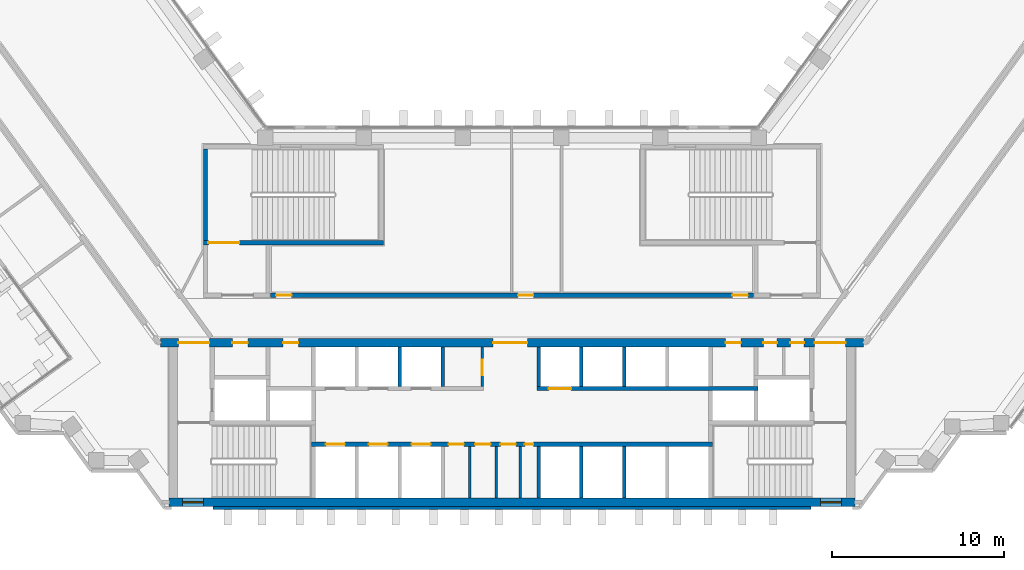
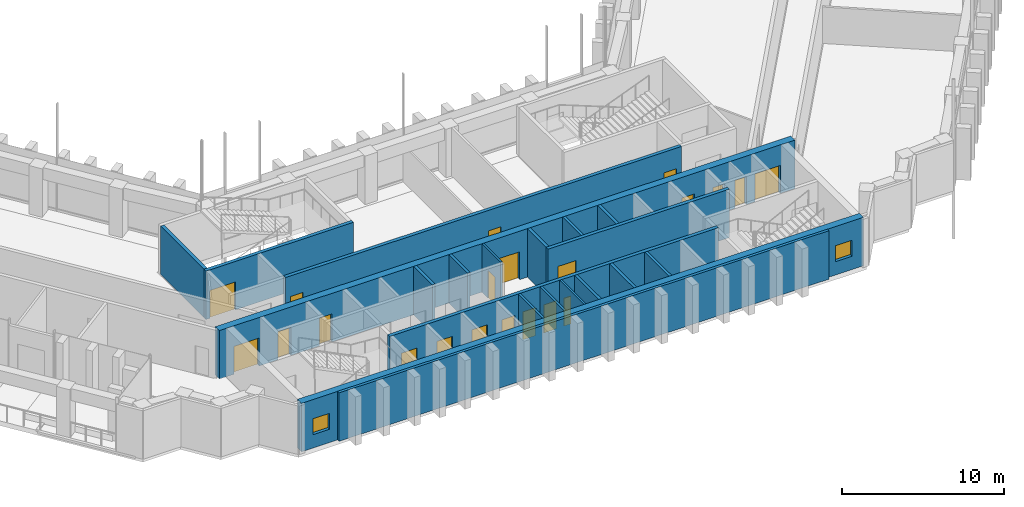
# One storey, part 11 of 18: 21 doors, 20 walls, 2 windows, 23 openings.
"""IFC4 building model written with IfcOpenShell, lengths in metres."""

import ifcopenshell
import ifcopenshell.guid

model = None  # the IFC model being written
_history = None  # IfcOwnerHistory: only IFC2X3 demands one
_inside = {}  # id of a spatial element -> (the spatial element, [elements in it])
_under = {}  # id of a project, library or spatial element -> (it, [spatial elements below it])
_declared = {}  # id of a project -> (the project, [libraries it declares])
_typed = {}  # id of a type object -> (the type object, [elements of that type])
_made_of = {}  # id of a material, layer set ... -> (it, [elements and type objects made of it])


def new_model(schema):
    """Start an empty IFC model of exactly this schema.

    Asked for "IFC4X3", IfcOpenShell would pick the latest addendum, in which some entities
    have other attributes; the version numbers below select the first issue.
    IFC2X3 requires an IfcOwnerHistory on every rooted entity: one is made here for all.
    """
    global model, _history
    if schema == "IFC4X3":
        model = ifcopenshell.file(schema_version=(4, 3, 0, 0))
    else:
        model = ifcopenshell.file(schema=schema)
    _inside.clear()
    _under.clear()
    _declared.clear()
    _typed.clear()
    _made_of.clear()
    _history = None
    if model.schema == "IFC2X3":
        org = make("IfcOrganization", Name="unknown")
        user = make(
            "IfcPersonAndOrganization",
            ThePerson=make("IfcPerson", FamilyName="unknown"),
            TheOrganization=org,
        )
        app = make(
            "IfcApplication",
            ApplicationDeveloper=org,
            Version="unknown",
            ApplicationFullName="unknown",
            ApplicationIdentifier="unknown",
        )
        _history = make(
            "IfcOwnerHistory",
            OwningUser=user,
            OwningApplication=app,
            ChangeAction="ADDED",
            CreationDate=0,
        )
    return model


def make(cls, **values):
    """One entity of the class cls with the attributes given. An attribute that is None is left unset."""
    return model.create_entity(
        cls, **{name: value for name, value in values.items() if value is not None}
    )


def rooted(cls, **values):
    """An entity with a GlobalId (a new one), such as an element, a storey or a relation."""
    return make(cls, GlobalId=ifcopenshell.guid.new(), OwnerHistory=_history, **values)


def si_unit(unit_type, name, prefix=None):
    """IfcSIUnit, for example si_unit("LENGTHUNIT", "METRE", prefix="MILLI")."""
    return make("IfcSIUnit", UnitType=unit_type, Prefix=prefix, Name=name)


def assignment(units):
    """IfcUnitAssignment: the units of a project."""
    return None if units is None else make("IfcUnitAssignment", Units=units)


def point(xyz):
    """IfcCartesianPoint."""
    return None if xyz is None else make("IfcCartesianPoint", Coordinates=xyz)


def direction(xyz):
    """IfcDirection."""
    return None if xyz is None else make("IfcDirection", DirectionRatios=xyz)


def frame(location, z_axis=None, x_axis=None):
    """IfcAxis2Placement3D, a coordinate frame: its origin and axes. An axis left out is left unset."""
    return make(
        "IfcAxis2Placement3D",
        Location=point(location),
        Axis=direction(z_axis),
        RefDirection=direction(x_axis),
    )


def frame_2d(location, x_axis=None):
    """IfcAxis2Placement2D, a coordinate frame in the plane: its origin and x axis."""
    return make(
        "IfcAxis2Placement2D", Location=point(location), RefDirection=direction(x_axis)
    )


def origin():
    """The frame at (0, 0, 0) with its axes left unset."""
    return frame((0.0, 0.0, 0.0))


def place(relative_to, where):
    """IfcLocalPlacement: puts the frame where relative to a parent placement (None: the world)."""
    return make(
        "IfcLocalPlacement", PlacementRelTo=relative_to, RelativePlacement=where
    )


def context(
    kind, dimensions, precision=None, world=None, true_north=None, identifier=None
):
    """IfcGeometricRepresentationContext, for example the 3D "Model" context."""
    return make(
        "IfcGeometricRepresentationContext",
        ContextIdentifier=identifier,
        ContextType=kind,
        CoordinateSpaceDimension=dimensions,
        Precision=precision,
        WorldCoordinateSystem=world,
        TrueNorth=true_north,
    )


def subcontext(parent, identifier, kind, view, scale=None):
    """IfcGeometricRepresentationSubContext, for example "Body" below "Model"."""
    return make(
        "IfcGeometricRepresentationSubContext",
        ContextIdentifier=identifier,
        ContextType=kind,
        ParentContext=parent,
        TargetScale=scale,
        TargetView=view,
    )


def project(units=None, contexts=None):
    """IfcProject with its units and contexts."""
    return rooted(
        "IfcProject",
        Name="project",
        RepresentationContexts=contexts,
        UnitsInContext=assignment(units),
    )


def spatial(cls, under=None, at=None, **own):
    """A site, building, storey or space (cls), placed at a placement, below another one or the project."""
    s = rooted(cls, ObjectPlacement=at, **own)
    if under is not None:
        _under.setdefault(under.id(), (under, []))[1].append(s)
    return s


def profile(cls, at=None, kind="AREA", **sizes):
    """A parametric profile (cls). Its sizes go by their IFC names, for example OverallWidth=200.0."""
    return make(cls, ProfileType=kind, Position=at, **sizes)


def rectangle(**sizes):
    """IfcRectangleProfileDef."""
    return profile("IfcRectangleProfileDef", **sizes)


def extrude(swept, where, along, depth):
    """IfcExtrudedAreaSolid: the profile swept, set in the frame where, extruded along a direction by depth."""
    return make(
        "IfcExtrudedAreaSolid",
        SweptArea=swept,
        Position=where,
        ExtrudedDirection=direction(along),
        Depth=depth,
    )


def shape(context_of_items, identifier, shape_type, items):
    """IfcShapeRepresentation: the items that make up one representation, for example the "Body"."""
    return make(
        "IfcShapeRepresentation",
        ContextOfItems=context_of_items,
        RepresentationIdentifier=identifier,
        RepresentationType=shape_type,
        Items=items,
    )


def material(Name=None, Category=None):
    """IfcMaterial."""
    return make("IfcMaterial", Name=Name, Category=Category)


def layer(
    of_material, thickness, ventilated=None, Name=None, Category=None, Priority=None
):
    """IfcMaterialLayer: one layer of a wall or slab, of a material (None: an air gap)."""
    return make(
        "IfcMaterialLayer",
        Material=of_material,
        LayerThickness=thickness,
        IsVentilated=ventilated,
        Name=Name,
        Category=Category,
        Priority=Priority,
    )


def layer_set(layers, Name=None):
    """IfcMaterialLayerSet."""
    return make("IfcMaterialLayerSet", MaterialLayers=layers, LayerSetName=Name)


def made_of(thing, what):
    """Note that an element or type object is made of a material, layer set ...; save() writes the relation."""
    if what is not None:
        _made_of.setdefault(what.id(), (what, []))[1].append(thing)
    return thing


def type_object(cls, material=None, **own):
    """A type object (cls), such as IfcWallType, which elements share."""
    return made_of(rooted(cls, **own), material)


def element(
    cls,
    number,
    at=None,
    inside=None,
    cuts=None,
    type_object=None,
    material=None,
    context=None,
    identifier="Body",
    shape_type=None,
    held_by="IfcProductDefinitionShape",
    body=None,
    shapes=None,
    **own,
):
    """One element of the class cls, such as IfcWall. Its Tag is "e" and its number.

    at: its placement. inside: the storey or other place that contains it. cuts: it is an
    opening in that element (IfcRelVoidsElement). A single representation is given by context,
    identifier, shape_type and body (its items); several are given by shapes. held_by: the class
    of the entity that holds the representations. save() writes the other relations.
    """
    e = rooted(cls, Tag="e%d" % number, ObjectPlacement=at, **own)
    if body is not None:
        shapes = [shape(context, identifier, shape_type, body)]
    if shapes is not None:
        e.Representation = make(held_by, Representations=shapes)
    if inside is not None:
        _inside.setdefault(inside.id(), (inside, []))[1].append(e)
    if cuts is not None:
        rooted(
            "IfcRelVoidsElement", RelatingBuildingElement=cuts, RelatedOpeningElement=e
        )
    if type_object is not None:
        _typed.setdefault(type_object.id(), (type_object, []))[1].append(e)
    return made_of(e, material)


def fill(opening, filler):
    """IfcRelFillsElement: the door or window that sits in an opening."""
    return rooted(
        "IfcRelFillsElement",
        RelatingOpeningElement=opening,
        RelatedBuildingElement=filler,
    )


def aggregate(whole, parts):
    """IfcRelAggregates: a whole, such as a stair, and the parts it consists of."""
    return rooted("IfcRelAggregates", RelatingObject=whole, RelatedObjects=parts)


def save(model, path):
    """Write the relations noted so far, then the file.

    IfcRelAggregates (storeys below a building ...), IfcRelContainedInSpatialStructure (elements
    in a storey), IfcRelDefinesByType, IfcRelAssociatesMaterial and IfcRelDeclares: one each for
    every whole, place, type object, material and project.
    """
    for whole, parts in _under.values():
        aggregate(whole, parts)
    for where, things in _inside.values():
        rooted(
            "IfcRelContainedInSpatialStructure",
            RelatedElements=things,
            RelatingStructure=where,
        )
    for kind, things in _typed.values():
        rooted("IfcRelDefinesByType", RelatedObjects=things, RelatingType=kind)
    for what, things in _made_of.values():
        rooted("IfcRelAssociatesMaterial", RelatedObjects=things, RelatingMaterial=what)
    for by, libraries in _declared.values():
        rooted("IfcRelDeclares", RelatingContext=by, RelatedDefinitions=libraries)
    model.write(path)


model = new_model("IFC4")

# Units and contexts
model_context = context("Model", 3, precision=1e-05, world=origin(), true_north=direction((0.0, 1.0)))
body_context = subcontext(model_context, "Body", "Model", "MODEL_VIEW")
ifc_project = project(units=[si_unit("LENGTHUNIT", "METRE"), si_unit("AREAUNIT", "SQUARE_METRE"), si_unit("VOLUMEUNIT", "CUBIC_METRE"), si_unit("PLANEANGLEUNIT", "RADIAN"), si_unit("MASSUNIT", "GRAM", prefix="KILO")], contexts=[model_context])

# Site, building, storey
site_placement = place(None, origin())
site = spatial("IfcSite", under=ifc_project, at=site_placement, CompositionType="ELEMENT")
building_placement = place(site_placement, origin())
building = spatial("IfcBuilding", under=site, at=building_placement, Name="Quipu Civic Tower", CompositionType="ELEMENT")
storey_placement = place(building_placement, frame((0.0, 0.0, 59.0)))
storey = spatial("IfcBuildingStorey", under=building, at=storey_placement, Name="L13", CompositionType="ELEMENT", Elevation=59.0)

# Wall, openings, doors
ifc_material_1 = material(Name="Concrete C70/85", Category="concrete")
ifc_layer_1 = layer(ifc_material_1, 0.25)
ifc_layer_set_1 = layer_set([ifc_layer_1], Name="Concrete C70/85")
wall_type_1 = type_object("IfcWallType", Name="Core wall 250", PredefinedType="SHEAR", material=ifc_layer_set_1)
wall_1_placement = place(storey_placement, frame((11.699951171875, -7.375, 0.0), z_axis=(0.0, 0.0, 1.0), x_axis=(-1.0, 0.0, 0.0)))
wall_1 = element("IfcWall", 1, at=wall_1_placement, inside=storey, type_object=wall_type_1, Name="Core wall", PredefinedType="SHEAR", context=body_context, shape_type="SweptSolid", body=[
    extrude(rectangle(XDim=23.39990234375, YDim=0.25, at=frame_2d((11.699951171875, 0.0))), origin(), (0.0, 0.0, 1.0), 3.64990234375),
])
opening_1_placement = place(wall_1_placement, frame((21.449951171875, 0.0, 0.0)))
opening_1 = element("IfcOpeningElement", 2, at=opening_1_placement, cuts=wall_1, Name="Opening LD-LL1", PredefinedType="OPENING", context=body_context, shape_type="SweptSolid", body=[
    extrude(rectangle(XDim=1.10009765625, YDim=2.10009765625, at=frame_2d((0.550048828125, 1.050048828125))), frame((0.0, 0.135009765625, 0.0), z_axis=(0.0, -1.0, 0.0), x_axis=(1.0, 0.0, 0.0)), (0.0, 0.0, 1.0), 0.27001953125),
])
opening_2_placement = place(wall_1_placement, frame((18.949951171875, 0.0, 0.0)))
opening_2 = element("IfcOpeningElement", 3, at=opening_2_placement, cuts=wall_1, Name="Opening LD-LL2", PredefinedType="OPENING", context=body_context, shape_type="SweptSolid", body=[
    extrude(rectangle(XDim=1.10009765625, YDim=2.10009765625, at=frame_2d((0.550048828125, 1.050048828125))), frame((0.0, 0.135009765625, 0.0), z_axis=(0.0, -1.0, 0.0), x_axis=(1.0, 0.0, 0.0)), (0.0, 0.0, 1.0), 0.27001953125),
])
opening_3_placement = place(wall_1_placement, frame((16.449951171875, 0.0, 0.0)))
opening_3 = element("IfcOpeningElement", 4, at=opening_3_placement, cuts=wall_1, Name="Opening LD-LL3", PredefinedType="OPENING", context=body_context, shape_type="SweptSolid", body=[
    extrude(rectangle(XDim=1.10009765625, YDim=2.10009765625, at=frame_2d((0.550048828125, 1.050048828125))), frame((0.0, 0.135009765625, 0.0), z_axis=(0.0, -1.0, 0.0), x_axis=(1.0, 0.0, 0.0)), (0.0, 0.0, 1.0), 0.27001953125),
])
opening_4_placement = place(wall_1_placement, frame((14.5, 0.0, 0.0)))
opening_4 = element("IfcOpeningElement", 5, at=opening_4_placement, cuts=wall_1, Name="Opening CD-01", PredefinedType="OPENING", context=body_context, shape_type="SweptSolid", body=[
    extrude(rectangle(XDim=0.89990234375, YDim=2.10009765625, at=frame_2d((0.449951171875, 1.050048828125))), frame((0.0, 0.135009765625, 0.0), z_axis=(0.0, -1.0, 0.0), x_axis=(1.0, 0.0, 0.0)), (0.0, 0.0, 1.0), 0.27001953125),
])
opening_5_placement = place(wall_1_placement, frame((12.949951171875, 0.0, 0.0)))
opening_5 = element("IfcOpeningElement", 6, at=opening_5_placement, cuts=wall_1, Name="Opening CD-02", PredefinedType="OPENING", context=body_context, shape_type="SweptSolid", body=[
    extrude(rectangle(XDim=0.89990234375, YDim=2.10009765625, at=frame_2d((0.449951171875, 1.050048828125))), frame((0.0, 0.135009765625, 0.0), z_axis=(0.0, -1.0, 0.0), x_axis=(1.0, 0.0, 0.0)), (0.0, 0.0, 1.0), 0.27001953125),
])
opening_6_placement = place(wall_1_placement, frame((11.47509765625, 0.0, 0.0)))
opening_6 = element("IfcOpeningElement", 7, at=opening_6_placement, cuts=wall_1, Name="Opening CD-03", PredefinedType="OPENING", context=body_context, shape_type="SweptSolid", body=[
    extrude(rectangle(XDim=0.89990234375, YDim=2.10009765625, at=frame_2d((0.449951171875, 1.050048828125))), frame((0.0, 0.135009765625, 0.0), z_axis=(0.0, -1.0, 0.0), x_axis=(1.0, 0.0, 0.0)), (0.0, 0.0, 1.0), 0.27001953125),
])
opening_7_placement = place(wall_1_placement, frame((10.449951171875, 0.0, 0.0)))
opening_7 = element("IfcOpeningElement", 8, at=opening_7_placement, cuts=wall_1, Name="Opening CD-04", PredefinedType="OPENING", context=body_context, shape_type="SweptSolid", body=[
    extrude(rectangle(XDim=0.5, YDim=2.10009765625, at=frame_2d((0.25, 1.050048828125))), frame((0.0, 0.135009765625, 0.0), z_axis=(0.0, -1.0, 0.0), x_axis=(1.0, 0.0, 0.0)), (0.0, 0.0, 1.0), 0.27001953125),
])
ifc_material_2 = material(Name="Fire rated steel door", Category="steel")
door_type_1 = type_object("IfcDoorType", Name="Fire door FD60 500 x 2100", OperationType="NOTDEFINED", PredefinedType="DOOR", material=ifc_material_2)
door_1_placement = place(opening_7_placement, origin())
door_1 = element("IfcDoor", 9, at=door_1_placement, inside=storey, type_object=door_type_1, Name="Door", OperationType="SINGLE_SWING_LEFT", OverallHeight=2.10009765625, OverallWidth=0.5, PredefinedType="DOOR", context=body_context, shape_type="SweptSolid", body=[
    extrude(rectangle(XDim=0.5, YDim=2.10009765625, at=frame_2d((0.25, 1.050048828125))), frame((0.0, 0.02490234375, 0.0), z_axis=(0.0, -1.0, 0.0), x_axis=(1.0, 0.0, 0.0)), (0.0, 0.0, 1.0), 0.050048828125),
])
fill(opening_7, door_1)
ifc_material_3 = material(Name="Fire rated steel door", Category="steel")
door_type_2 = type_object("IfcDoorType", Name="Fire door FD60 900 x 2100", OperationType="NOTDEFINED", PredefinedType="DOOR", material=ifc_material_3)
door_2_placement = place(opening_4_placement, origin())
door_2 = element("IfcDoor", 10, at=door_2_placement, inside=storey, type_object=door_type_2, Name="WC door", OperationType="SINGLE_SWING_RIGHT", OverallHeight=2.10009765625, OverallWidth=0.89990234375, PredefinedType="DOOR", context=body_context, shape_type="SweptSolid", body=[
    extrude(rectangle(XDim=0.89990234375, YDim=2.10009765625, at=frame_2d((0.449951171875, 1.050048828125))), frame((0.0, 0.02490234375, 0.0), z_axis=(0.0, -1.0, 0.0), x_axis=(1.0, 0.0, 0.0)), (0.0, 0.0, 1.0), 0.050048828125),
])
fill(opening_4, door_2)
door_3_placement = place(opening_5_placement, origin())
door_3 = element("IfcDoor", 11, at=door_3_placement, inside=storey, type_object=door_type_2, Name="WC door", OperationType="SINGLE_SWING_RIGHT", OverallHeight=2.10009765625, OverallWidth=0.89990234375, PredefinedType="DOOR", context=body_context, shape_type="SweptSolid", body=[
    extrude(rectangle(XDim=0.89990234375, YDim=2.10009765625, at=frame_2d((0.449951171875, 1.050048828125))), frame((0.0, 0.02490234375, 0.0), z_axis=(0.0, -1.0, 0.0), x_axis=(1.0, 0.0, 0.0)), (0.0, 0.0, 1.0), 0.050048828125),
])
fill(opening_5, door_3)
door_4_placement = place(opening_6_placement, origin())
door_4 = element("IfcDoor", 12, at=door_4_placement, inside=storey, type_object=door_type_2, Name="WC door", OperationType="SINGLE_SWING_RIGHT", OverallHeight=2.10009765625, OverallWidth=0.89990234375, PredefinedType="DOOR", context=body_context, shape_type="SweptSolid", body=[
    extrude(rectangle(XDim=0.89990234375, YDim=2.10009765625, at=frame_2d((0.449951171875, 1.050048828125))), frame((0.0, 0.02490234375, 0.0), z_axis=(0.0, -1.0, 0.0), x_axis=(1.0, 0.0, 0.0)), (0.0, 0.0, 1.0), 0.050048828125),
])
fill(opening_6, door_4)
ifc_material_4 = material(Name="Stainless steel", Category="steel")
door_type_3 = type_object("IfcDoorType", Name="Lift landing door 1100 x 2100", OperationType="DOUBLE_DOOR_SLIDING", PredefinedType="DOOR", material=ifc_material_4)
door_5_placement = place(opening_1_placement, origin())
door_5 = element("IfcDoor", 13, at=door_5_placement, inside=storey, type_object=door_type_3, Name="Landing door LL1", OperationType="DOUBLE_DOOR_SLIDING", OverallHeight=2.10009765625, OverallWidth=1.10009765625, PredefinedType="DOOR", context=body_context, shape_type="SweptSolid", body=[
    extrude(rectangle(XDim=1.10009765625, YDim=2.10009765625, at=frame_2d((0.550048828125, 1.050048828125))), frame((0.0, 0.02490234375, 0.0), z_axis=(0.0, -1.0, 0.0), x_axis=(1.0, 0.0, 0.0)), (0.0, 0.0, 1.0), 0.050048828125),
])
fill(opening_1, door_5)
door_6_placement = place(opening_2_placement, origin())
door_6 = element("IfcDoor", 14, at=door_6_placement, inside=storey, type_object=door_type_3, Name="Landing door LL2", OperationType="DOUBLE_DOOR_SLIDING", OverallHeight=2.10009765625, OverallWidth=1.10009765625, PredefinedType="DOOR", context=body_context, shape_type="SweptSolid", body=[
    extrude(rectangle(XDim=1.10009765625, YDim=2.10009765625, at=frame_2d((0.550048828125, 1.050048828125))), frame((0.0, 0.02490234375, 0.0), z_axis=(0.0, -1.0, 0.0), x_axis=(1.0, 0.0, 0.0)), (0.0, 0.0, 1.0), 0.050048828125),
])
fill(opening_2, door_6)
door_7_placement = place(opening_3_placement, origin())
door_7 = element("IfcDoor", 15, at=door_7_placement, inside=storey, type_object=door_type_3, Name="Landing door LL3", OperationType="DOUBLE_DOOR_SLIDING", OverallHeight=2.10009765625, OverallWidth=1.10009765625, PredefinedType="DOOR", context=body_context, shape_type="SweptSolid", body=[
    extrude(rectangle(XDim=1.10009765625, YDim=2.10009765625, at=frame_2d((0.550048828125, 1.050048828125))), frame((0.0, 0.02490234375, 0.0), z_axis=(0.0, -1.0, 0.0), x_axis=(1.0, 0.0, 0.0)), (0.0, 0.0, 1.0), 0.050048828125),
])
fill(opening_3, door_7)

# Wall, opening, door
wall_2_placement = place(storey_placement, frame((1.449951171875, -4.125, 0.0), z_axis=(0.0, 0.0, 1.0), x_axis=(1.0, 0.0, 0.0)))
wall_2 = element("IfcWall", 16, at=wall_2_placement, inside=storey, type_object=wall_type_1, Name="Core wall", PredefinedType="SHEAR", context=body_context, shape_type="SweptSolid", body=[
    extrude(rectangle(XDim=12.900146484375, YDim=0.25, at=frame_2d((6.4501953125, 0.0))), origin(), (0.0, 0.0, 1.0), 3.64990234375),
])
opening_8_placement = place(wall_2_placement, frame((0.699951171875, 0.0, 0.0)))
opening_8 = element("IfcOpeningElement", 17, at=opening_8_placement, cuts=wall_2, Name="Opening LD-FF3", PredefinedType="OPENING", context=body_context, shape_type="SweptSolid", body=[
    extrude(rectangle(XDim=1.300048828125, YDim=2.10009765625, at=frame_2d((0.64990234375, 1.050048828125))), frame((0.0, 0.135009765625, 0.0), z_axis=(0.0, -1.0, 0.0), x_axis=(1.0, 0.0, 0.0)), (0.0, 0.0, 1.0), 0.27001953125),
])
ifc_material_5 = material(Name="Stainless steel", Category="steel")
door_type_4 = type_object("IfcDoorType", Name="Lift landing door 1300 x 2100", OperationType="DOUBLE_DOOR_SLIDING", PredefinedType="DOOR", material=ifc_material_5)
door_8_placement = place(opening_8_placement, origin())
door_8 = element("IfcDoor", 18, at=door_8_placement, inside=storey, type_object=door_type_4, Name="Landing door FF3", OperationType="DOUBLE_DOOR_SLIDING", OverallHeight=2.10009765625, OverallWidth=1.300048828125, PredefinedType="DOOR", context=body_context, shape_type="SweptSolid", body=[
    extrude(rectangle(XDim=1.300048828125, YDim=2.10009765625, at=frame_2d((0.64990234375, 1.050048828125))), frame((0.0, 0.02490234375, 0.0), z_axis=(0.0, -1.0, 0.0), x_axis=(1.0, 0.0, 0.0)), (0.0, 0.0, 1.0), 0.050048828125),
])
fill(opening_8, door_8)

wall_3_placement = place(storey_placement, frame((-18.0, 4.375, 0.0), z_axis=(0.0, 0.0, 1.0), x_axis=(1.0, 0.0, 0.0)))
wall_3 = element("IfcWall", 19, at=wall_3_placement, inside=storey, type_object=wall_type_1, Name="Core wall", PredefinedType="SHEAR", context=body_context, shape_type="SweptSolid", body=[
    extrude(rectangle(XDim=10.5, YDim=0.25, at=frame_2d((5.25, 0.0))), origin(), (0.0, 0.0, 1.0), 3.64990234375),
])
opening_9_placement = place(wall_3_placement, frame((0.300048828125, 0.0, 0.0)))
opening_9 = element("IfcOpeningElement", 20, at=opening_9_placement, cuts=wall_3, Name="Opening CD-17", PredefinedType="OPENING", context=body_context, shape_type="SweptSolid", body=[
    extrude(rectangle(XDim=1.800048828125, YDim=2.10009765625, at=frame_2d((0.89990234375, 1.050048828125))), frame((0.0, 0.135009765625, 0.0), z_axis=(0.0, -1.0, 0.0), x_axis=(1.0, 0.0, 0.0)), (0.0, 0.0, 1.0), 0.27001953125),
])
ifc_material_6 = material(Name="Fire rated steel door", Category="steel")
door_type_5 = type_object("IfcDoorType", Name="Fire door FD90 double 1800 x 2100", OperationType="NOTDEFINED", PredefinedType="DOOR", material=ifc_material_6)
door_9_placement = place(opening_9_placement, origin())
door_9 = element("IfcDoor", 21, at=door_9_placement, inside=storey, type_object=door_type_5, Name="Door", OperationType="DOUBLE_DOOR_SINGLE_SWING", OverallHeight=2.10009765625, OverallWidth=1.800048828125, PredefinedType="DOOR", context=body_context, shape_type="SweptSolid", body=[
    extrude(rectangle(XDim=1.800048828125, YDim=2.10009765625, at=frame_2d((0.89990234375, 1.050048828125))), frame((0.0, 0.02490234375, 0.0), z_axis=(0.0, -1.0, 0.0), x_axis=(1.0, 0.0, 0.0)), (0.0, 0.0, 1.0), 0.050048828125),
])
fill(opening_9, door_9)

# Wall
wall_4_placement = place(storey_placement, frame((-17.875, 4.5, 0.0), z_axis=(0.0, 0.0, 1.0), x_axis=(0.0, 1.0, 0.0)))
element("IfcWall", 22, at=wall_4_placement, inside=storey, type_object=wall_type_1, Name="Core wall", PredefinedType="SHEAR", context=body_context, shape_type="SweptSolid", body=[
    extrude(rectangle(XDim=5.35009765625, YDim=0.25, at=frame_2d((2.675048828125, 0.0))), origin(), (0.0, 0.0, 1.0), 3.64990234375),
])

# Wall, openings, windows
ifc_material_7 = material(Name="Concrete C70/85", Category="concrete")
ifc_layer_2 = layer(ifc_material_7, 0.5)
ifc_layer_set_2 = layer_set([ifc_layer_2], Name="Concrete C70/85")
wall_type_2 = type_object("IfcWallType", Name="Core wall 500", PredefinedType="SHEAR", material=ifc_layer_set_2)
wall_5_placement = place(storey_placement, frame((-20.0, -10.75, 0.0), z_axis=(0.0, 0.0, 1.0), x_axis=(1.0, 0.0, 0.0)))
wall_5 = element("IfcWall", 23, at=wall_5_placement, inside=storey, type_object=wall_type_2, Name="Core wall", PredefinedType="SHEAR", context=body_context, shape_type="SweptSolid", body=[
    extrude(rectangle(XDim=40.0, YDim=0.5, at=frame_2d((20.0, 0.0))), origin(), (0.0, 0.0, 1.0), 3.64990234375),
])
opening_10_placement = place(wall_5_placement, frame((0.800048828125, 0.0, 1.0)))
opening_10 = element("IfcOpeningElement", 24, at=opening_10_placement, cuts=wall_5, Name="Opening SV-1", PredefinedType="OPENING", context=body_context, shape_type="SweptSolid", body=[
    extrude(rectangle(XDim=1.199951171875, YDim=1.199951171875, at=frame_2d((0.60009765625, 0.60009765625))), frame((0.0, 0.260009765625, 0.0), z_axis=(0.0, -1.0, 0.0), x_axis=(1.0, 0.0, 0.0)), (0.0, 0.0, 1.0), 0.52001953125),
])
opening_11_placement = place(wall_5_placement, frame((38.0, 0.0, 1.0)))
opening_11 = element("IfcOpeningElement", 25, at=opening_11_placement, cuts=wall_5, Name="Opening SV-2", PredefinedType="OPENING", context=body_context, shape_type="SweptSolid", body=[
    extrude(rectangle(XDim=1.199951171875, YDim=1.199951171875, at=frame_2d((0.60009765625, 0.60009765625))), frame((0.0, 0.260009765625, 0.0), z_axis=(0.0, -1.0, 0.0), x_axis=(1.0, 0.0, 0.0)), (0.0, 0.0, 1.0), 0.52001953125),
])
ifc_material_8 = material(Name="Aluminium louvre", Category="aluminium")
window_type = type_object("IfcWindowType", Name="Stair ventilation louvre 1200 x 1200", PartitioningType="SINGLE_PANEL", PredefinedType="WINDOW", material=ifc_material_8)
window_1_placement = place(opening_10_placement, origin())
window_1 = element("IfcWindow", 26, at=window_1_placement, inside=storey, type_object=window_type, Name="Stair ventilation opening", OverallHeight=1.199951171875, OverallWidth=1.199951171875, PartitioningType="SINGLE_PANEL", PredefinedType="WINDOW", context=body_context, shape_type="SweptSolid", body=[
    extrude(rectangle(XDim=1.199951171875, YDim=1.199951171875, at=frame_2d((0.60009765625, 0.60009765625))), frame((0.0, 0.030029296875, 0.0), z_axis=(0.0, -1.0, 0.0), x_axis=(1.0, 0.0, 0.0)), (0.0, 0.0, 1.0), 0.06005859375),
])
fill(opening_10, window_1)
window_2_placement = place(opening_11_placement, origin())
window_2 = element("IfcWindow", 27, at=window_2_placement, inside=storey, type_object=window_type, Name="Stair ventilation opening", OverallHeight=1.199951171875, OverallWidth=1.199951171875, PartitioningType="SINGLE_PANEL", PredefinedType="WINDOW", context=body_context, shape_type="SweptSolid", body=[
    extrude(rectangle(XDim=1.199951171875, YDim=1.199951171875, at=frame_2d((0.60009765625, 0.60009765625))), frame((0.0, 0.030029296875, 0.0), z_axis=(0.0, -1.0, 0.0), x_axis=(1.0, 0.0, 0.0)), (0.0, 0.0, 1.0), 0.06005859375),
])
fill(opening_11, window_2)

# Wall, openings, doors
wall_6_placement = place(storey_placement, frame((20.489990234375, -1.449951171875, 0.0), z_axis=(0.0, 0.0, 1.0), x_axis=(-1.0, 0.0, 0.0)))
wall_6 = element("IfcWall", 28, at=wall_6_placement, inside=storey, type_object=wall_type_2, Name="Core wall", PredefinedType="SHEAR", context=body_context, shape_type="SweptSolid", body=[
    extrude(rectangle(XDim=40.97998046875, YDim=0.5, at=frame_2d((20.489990234375, 0.0))), origin(), (0.0, 0.0, 1.0), 3.64990234375),
])
opening_12_placement = place(wall_6_placement, frame((38.139892578125, 0.0, 0.0)))
opening_12 = element("IfcOpeningElement", 29, at=opening_12_placement, cuts=wall_6, Name="Opening CD-08", PredefinedType="OPENING", context=body_context, shape_type="SweptSolid", body=[
    extrude(rectangle(XDim=1.800048828125, YDim=2.10009765625, at=frame_2d((0.89990234375, 1.050048828125))), frame((0.0, 0.260009765625, 0.0), z_axis=(0.0, -1.0, 0.0), x_axis=(1.0, 0.0, 0.0)), (0.0, 0.0, 1.0), 0.52001953125),
])
opening_13_placement = place(wall_6_placement, frame((35.889892578125, 0.0, 0.0)))
opening_13 = element("IfcOpeningElement", 30, at=opening_13_placement, cuts=wall_6, Name="Opening CD-09", PredefinedType="OPENING", context=body_context, shape_type="SweptSolid", body=[
    extrude(rectangle(XDim=0.89990234375, YDim=2.10009765625, at=frame_2d((0.449951171875, 1.050048828125))), frame((0.0, 0.260009765625, 0.0), z_axis=(0.0, -1.0, 0.0), x_axis=(1.0, 0.0, 0.0)), (0.0, 0.0, 1.0), 0.52001953125),
])
opening_14_placement = place(wall_6_placement, frame((32.93994140625, 0.0, 0.0)))
opening_14 = element("IfcOpeningElement", 31, at=opening_14_placement, cuts=wall_6, Name="Opening CD-10", PredefinedType="OPENING", context=body_context, shape_type="SweptSolid", body=[
    extrude(rectangle(XDim=0.89990234375, YDim=2.10009765625, at=frame_2d((0.449951171875, 1.050048828125))), frame((0.0, 0.260009765625, 0.0), z_axis=(0.0, -1.0, 0.0), x_axis=(1.0, 0.0, 0.0)), (0.0, 0.0, 1.0), 0.52001953125),
])
opening_15_placement = place(wall_6_placement, frame((19.590087890625, 0.0, 0.0)))
opening_15 = element("IfcOpeningElement", 32, at=opening_15_placement, cuts=wall_6, Name="Opening CD-11", PredefinedType="OPENING", context=body_context, shape_type="SweptSolid", body=[
    extrude(rectangle(XDim=2.0, YDim=2.10009765625, at=frame_2d((1.0, 1.050048828125))), frame((0.0, 0.260009765625, 0.0), z_axis=(0.0, -1.0, 0.0), x_axis=(1.0, 0.0, 0.0)), (0.0, 0.0, 1.0), 0.52001953125),
])
opening_16_placement = place(wall_6_placement, frame((7.139892578125, 0.0, 0.0)))
opening_16 = element("IfcOpeningElement", 33, at=opening_16_placement, cuts=wall_6, Name="Opening CD-12", PredefinedType="OPENING", context=body_context, shape_type="SweptSolid", body=[
    extrude(rectangle(XDim=0.89990234375, YDim=2.10009765625, at=frame_2d((0.449951171875, 1.050048828125))), frame((0.0, 0.260009765625, 0.0), z_axis=(0.0, -1.0, 0.0), x_axis=(1.0, 0.0, 0.0)), (0.0, 0.0, 1.0), 0.52001953125),
])
opening_17_placement = place(wall_6_placement, frame((5.027587890625, 0.0, 0.0)))
opening_17 = element("IfcOpeningElement", 34, at=opening_17_placement, cuts=wall_6, Name="Opening CD-13", PredefinedType="OPENING", context=body_context, shape_type="SweptSolid", body=[
    extrude(rectangle(XDim=0.800048828125, YDim=2.10009765625, at=frame_2d((0.39990234375, 1.050048828125))), frame((0.0, 0.260009765625, 0.0), z_axis=(0.0, -1.0, 0.0), x_axis=(1.0, 0.0, 0.0)), (0.0, 0.0, 1.0), 0.52001953125),
])
opening_18_placement = place(wall_6_placement, frame((3.452392578125, 0.0, 0.0)))
opening_18 = element("IfcOpeningElement", 35, at=opening_18_placement, cuts=wall_6, Name="Opening CD-14", PredefinedType="OPENING", context=body_context, shape_type="SweptSolid", body=[
    extrude(rectangle(XDim=0.800048828125, YDim=2.10009765625, at=frame_2d((0.39990234375, 1.050048828125))), frame((0.0, 0.260009765625, 0.0), z_axis=(0.0, -1.0, 0.0), x_axis=(1.0, 0.0, 0.0)), (0.0, 0.0, 1.0), 0.52001953125),
])
opening_19_placement = place(wall_6_placement, frame((1.0400390625, 0.0, 0.0)))
opening_19 = element("IfcOpeningElement", 36, at=opening_19_placement, cuts=wall_6, Name="Opening CD-15", PredefinedType="OPENING", context=body_context, shape_type="SweptSolid", body=[
    extrude(rectangle(XDim=1.800048828125, YDim=2.10009765625, at=frame_2d((0.89990234375, 1.050048828125))), frame((0.0, 0.260009765625, 0.0), z_axis=(0.0, -1.0, 0.0), x_axis=(1.0, 0.0, 0.0)), (0.0, 0.0, 1.0), 0.52001953125),
])
ifc_material_9 = material(Name="Fire rated steel door", Category="steel")
door_type_6 = type_object("IfcDoorType", Name="Fire door FD60 800 x 2100", OperationType="NOTDEFINED", PredefinedType="DOOR", material=ifc_material_9)
door_10_placement = place(opening_17_placement, origin())
door_10 = element("IfcDoor", 37, at=door_10_placement, inside=storey, type_object=door_type_6, Name="Door", OperationType="SINGLE_SWING_LEFT", OverallHeight=2.10009765625, OverallWidth=0.800048828125, PredefinedType="DOOR", context=body_context, shape_type="SweptSolid", body=[
    extrude(rectangle(XDim=0.800048828125, YDim=2.10009765625, at=frame_2d((0.39990234375, 1.050048828125))), frame((0.0, 0.02490234375, 0.0), z_axis=(0.0, -1.0, 0.0), x_axis=(1.0, 0.0, 0.0)), (0.0, 0.0, 1.0), 0.050048828125),
])
fill(opening_17, door_10)
door_11_placement = place(opening_18_placement, origin())
door_11 = element("IfcDoor", 38, at=door_11_placement, inside=storey, type_object=door_type_6, Name="Door", OperationType="SINGLE_SWING_LEFT", OverallHeight=2.10009765625, OverallWidth=0.800048828125, PredefinedType="DOOR", context=body_context, shape_type="SweptSolid", body=[
    extrude(rectangle(XDim=0.800048828125, YDim=2.10009765625, at=frame_2d((0.39990234375, 1.050048828125))), frame((0.0, 0.02490234375, 0.0), z_axis=(0.0, -1.0, 0.0), x_axis=(1.0, 0.0, 0.0)), (0.0, 0.0, 1.0), 0.050048828125),
])
fill(opening_18, door_11)
door_12_placement = place(opening_13_placement, origin())
door_12 = element("IfcDoor", 39, at=door_12_placement, inside=storey, type_object=door_type_2, Name="Door", OperationType="SINGLE_SWING_RIGHT", OverallHeight=2.10009765625, OverallWidth=0.89990234375, PredefinedType="DOOR", context=body_context, shape_type="SweptSolid", body=[
    extrude(rectangle(XDim=0.89990234375, YDim=2.10009765625, at=frame_2d((0.449951171875, 1.050048828125))), frame((0.0, 0.02490234375, 0.0), z_axis=(0.0, -1.0, 0.0), x_axis=(1.0, 0.0, 0.0)), (0.0, 0.0, 1.0), 0.050048828125),
])
fill(opening_13, door_12)
door_13_placement = place(opening_14_placement, origin())
door_13 = element("IfcDoor", 40, at=door_13_placement, inside=storey, type_object=door_type_2, Name="Riser door", OperationType="SINGLE_SWING_RIGHT", OverallHeight=2.10009765625, OverallWidth=0.89990234375, PredefinedType="DOOR", context=body_context, shape_type="SweptSolid", body=[
    extrude(rectangle(XDim=0.89990234375, YDim=2.10009765625, at=frame_2d((0.449951171875, 1.050048828125))), frame((0.0, 0.02490234375, 0.0), z_axis=(0.0, -1.0, 0.0), x_axis=(1.0, 0.0, 0.0)), (0.0, 0.0, 1.0), 0.050048828125),
])
fill(opening_14, door_13)
door_14_placement = place(opening_16_placement, origin())
door_14 = element("IfcDoor", 41, at=door_14_placement, inside=storey, type_object=door_type_2, Name="Riser door", OperationType="SINGLE_SWING_LEFT", OverallHeight=2.10009765625, OverallWidth=0.89990234375, PredefinedType="DOOR", context=body_context, shape_type="SweptSolid", body=[
    extrude(rectangle(XDim=0.89990234375, YDim=2.10009765625, at=frame_2d((0.449951171875, 1.050048828125))), frame((0.0, 0.02490234375, 0.0), z_axis=(0.0, -1.0, 0.0), x_axis=(1.0, 0.0, 0.0)), (0.0, 0.0, 1.0), 0.050048828125),
])
fill(opening_16, door_14)
door_15_placement = place(opening_12_placement, origin())
door_15 = element("IfcDoor", 42, at=door_15_placement, inside=storey, type_object=door_type_5, Name="Lobby door", OperationType="DOUBLE_DOOR_SINGLE_SWING", OverallHeight=2.10009765625, OverallWidth=1.800048828125, PredefinedType="DOOR", context=body_context, shape_type="SweptSolid", body=[
    extrude(rectangle(XDim=1.800048828125, YDim=2.10009765625, at=frame_2d((0.89990234375, 1.050048828125))), frame((0.0, 0.02490234375, 0.0), z_axis=(0.0, -1.0, 0.0), x_axis=(1.0, 0.0, 0.0)), (0.0, 0.0, 1.0), 0.050048828125),
])
fill(opening_12, door_15)
door_16_placement = place(opening_19_placement, origin())
door_16 = element("IfcDoor", 43, at=door_16_placement, inside=storey, type_object=door_type_5, Name="Lobby door", OperationType="DOUBLE_DOOR_SINGLE_SWING", OverallHeight=2.10009765625, OverallWidth=1.800048828125, PredefinedType="DOOR", context=body_context, shape_type="SweptSolid", body=[
    extrude(rectangle(XDim=1.800048828125, YDim=2.10009765625, at=frame_2d((0.89990234375, 1.050048828125))), frame((0.0, 0.02490234375, 0.0), z_axis=(0.0, -1.0, 0.0), x_axis=(1.0, 0.0, 0.0)), (0.0, 0.0, 1.0), 0.050048828125),
])
fill(opening_19, door_16)
ifc_material_10 = material(Name="Fire rated steel door", Category="steel")
door_type_7 = type_object("IfcDoorType", Name="Fire door FD90 double 2000 x 2100", OperationType="NOTDEFINED", PredefinedType="DOOR", material=ifc_material_10)
door_17_placement = place(opening_15_placement, origin())
door_17 = element("IfcDoor", 44, at=door_17_placement, inside=storey, type_object=door_type_7, Name="Lobby door", OperationType="DOUBLE_DOOR_SINGLE_SWING", OverallHeight=2.10009765625, OverallWidth=2.0, PredefinedType="DOOR", context=body_context, shape_type="SweptSolid", body=[
    extrude(rectangle(XDim=2.0, YDim=2.10009765625, at=frame_2d((1.0, 1.050048828125))), frame((0.0, 0.02490234375, 0.0), z_axis=(0.0, -1.0, 0.0), x_axis=(1.0, 0.0, 0.0)), (0.0, 0.0, 1.0), 0.050048828125),
])
fill(opening_15, door_17)

ifc_material_11 = material(Name="Concrete C50/60", Category="concrete")
ifc_layer_3 = layer(ifc_material_11, 0.25)
ifc_layer_set_3 = layer_set([ifc_layer_3], Name="Concrete C50/60")
wall_type_3 = type_object("IfcWallType", Name="Corridor wall 250 concrete", PredefinedType="SOLIDWALL", material=ifc_layer_set_3)
wall_7_placement = place(storey_placement, frame((-14.090087890625, 1.324951171875, 0.0), z_axis=(0.0, 0.0, 1.0), x_axis=(1.0, 0.0, 0.0)))
wall_7 = element("IfcWall", 45, at=wall_7_placement, inside=storey, type_object=wall_type_3, Name="Corridor wall C05", PredefinedType="SOLIDWALL", context=body_context, shape_type="SweptSolid", body=[
    extrude(rectangle(XDim=28.18017578125, YDim=0.25, at=frame_2d((14.090087890625, 0.0))), origin(), (0.0, 0.0, 1.0), 3.64990234375),
])
opening_20_placement = place(wall_7_placement, frame((26.93994140625, 0.0, 0.0)))
opening_20 = element("IfcOpeningElement", 46, at=opening_20_placement, cuts=wall_7, Name="Opening D010", PredefinedType="OPENING", context=body_context, shape_type="SweptSolid", body=[
    extrude(rectangle(XDim=0.89990234375, YDim=2.10009765625, at=frame_2d((0.449951171875, 1.050048828125))), frame((0.0, 0.135009765625, 0.0), z_axis=(0.0, -1.0, 0.0), x_axis=(1.0, 0.0, 0.0)), (0.0, 0.0, 1.0), 0.27001953125),
])
opening_21_placement = place(wall_7_placement, frame((0.340087890625, 0.0, 0.0)))
opening_21 = element("IfcOpeningElement", 47, at=opening_21_placement, cuts=wall_7, Name="Opening D008", PredefinedType="OPENING", context=body_context, shape_type="SweptSolid", body=[
    extrude(rectangle(XDim=0.89990234375, YDim=2.10009765625, at=frame_2d((0.449951171875, 1.050048828125))), frame((0.0, 0.135009765625, 0.0), z_axis=(0.0, -1.0, 0.0), x_axis=(1.0, 0.0, 0.0)), (0.0, 0.0, 1.0), 0.27001953125),
])
opening_22_placement = place(wall_7_placement, frame((14.43994140625, 0.0, 0.0)))
opening_22 = element("IfcOpeningElement", 48, at=opening_22_placement, cuts=wall_7, Name="Opening D009", PredefinedType="OPENING", context=body_context, shape_type="SweptSolid", body=[
    extrude(rectangle(XDim=0.89990234375, YDim=2.10009765625, at=frame_2d((0.449951171875, 1.050048828125))), frame((0.0, 0.135009765625, 0.0), z_axis=(0.0, -1.0, 0.0), x_axis=(1.0, 0.0, 0.0)), (0.0, 0.0, 1.0), 0.27001953125),
])
ifc_material_12 = material(Name="Fire rated timber door set with metal frame", Category="wood")
door_type_8 = type_object("IfcDoorType", Name="Single door 900 x 2100 FD60", OperationType="NOTDEFINED", PredefinedType="DOOR", material=ifc_material_12)
door_18_placement = place(opening_20_placement, origin())
door_18 = element("IfcDoor", 49, at=door_18_placement, inside=storey, type_object=door_type_8, Name="Door D010", OperationType="SINGLE_SWING_RIGHT", OverallHeight=2.10009765625, OverallWidth=0.89990234375, PredefinedType="DOOR", context=body_context, shape_type="SweptSolid", body=[
    extrude(rectangle(XDim=0.89990234375, YDim=2.10009765625, at=frame_2d((0.449951171875, 1.050048828125))), frame((0.0, 0.02490234375, 0.0), z_axis=(0.0, -1.0, 0.0), x_axis=(1.0, 0.0, 0.0)), (0.0, 0.0, 1.0), 0.050048828125),
])
fill(opening_20, door_18)
door_19_placement = place(opening_21_placement, origin())
door_19 = element("IfcDoor", 50, at=door_19_placement, inside=storey, type_object=door_type_8, Name="Door D008", OperationType="SINGLE_SWING_LEFT", OverallHeight=2.10009765625, OverallWidth=0.89990234375, PredefinedType="DOOR", context=body_context, shape_type="SweptSolid", body=[
    extrude(rectangle(XDim=0.89990234375, YDim=2.10009765625, at=frame_2d((0.449951171875, 1.050048828125))), frame((0.0, 0.02490234375, 0.0), z_axis=(0.0, -1.0, 0.0), x_axis=(1.0, 0.0, 0.0)), (0.0, 0.0, 1.0), 0.050048828125),
])
fill(opening_21, door_19)
door_20_placement = place(opening_22_placement, origin())
door_20 = element("IfcDoor", 51, at=door_20_placement, inside=storey, type_object=door_type_8, Name="Door D009", OperationType="SINGLE_SWING_LEFT", OverallHeight=2.10009765625, OverallWidth=0.89990234375, PredefinedType="DOOR", context=body_context, shape_type="SweptSolid", body=[
    extrude(rectangle(XDim=0.89990234375, YDim=2.10009765625, at=frame_2d((0.449951171875, 1.050048828125))), frame((0.0, 0.02490234375, 0.0), z_axis=(0.0, -1.0, 0.0), x_axis=(1.0, 0.0, 0.0)), (0.0, 0.0, 1.0), 0.050048828125),
])
fill(opening_22, door_20)

# Walls
ifc_material_13 = material(Name="Gypsum board partition")
ifc_layer_4 = layer(ifc_material_13, 0.14990234375)
ifc_layer_set_4 = layer_set([ifc_layer_4], Name="Gypsum board partition")
wall_type_4 = type_object("IfcWallType", Name="Partition 150", PredefinedType="PARTITIONING", material=ifc_layer_set_4)
for number, where, z_axis, x_axis, name in (
    (52, (-2.47509765625, -10.5, 0.0), (0.0, 0.0, 1.0), (0.0, 1.0, 0.0), "Partition"),
    (53, (-0.925048828125, -10.5, 0.0), (0.0, 0.0, 1.0), (0.0, 1.0, 0.0), "Partition"),
    (54, (0.47509765625, -10.5, 0.0), (0.0, 0.0, 1.0), (0.0, 1.0, 0.0), "Partition"),
):
    element("IfcWall", number, at=place(storey_placement, frame(where, z_axis=z_axis, x_axis=x_axis)), inside=storey, type_object=wall_type_4, Name=name, PredefinedType="PARTITIONING", context=body_context, shape_type="SweptSolid", body=[
        extrude(rectangle(XDim=3.0, YDim=0.14990234375, at=frame_2d((1.5, 0.0))), origin(), (0.0, 0.0, 1.0), 3.64990234375),
    ])

# Wall, opening, door
wall_8_placement = place(storey_placement, frame((-1.72509765625, -1.699951171875, 0.0), z_axis=(0.0, 0.0, 1.0), x_axis=(0.0, -1.0, 0.0)))
wall_8 = element("IfcWall", 55, at=wall_8_placement, inside=storey, type_object=wall_type_4, Name="Partition", PredefinedType="PARTITIONING", context=body_context, shape_type="SweptSolid", body=[
    extrude(rectangle(XDim=2.300048828125, YDim=0.14990234375, at=frame_2d((1.14990234375, 0.0))), origin(), (0.0, 0.0, 1.0), 3.64990234375),
])
opening_23_placement = place(wall_8_placement, frame((0.75, 0.0, 0.0)))
opening_23 = element("IfcOpeningElement", 56, at=opening_23_placement, cuts=wall_8, Name="Opening CD-07", PredefinedType="OPENING", context=body_context, shape_type="SweptSolid", body=[
    extrude(rectangle(XDim=0.89990234375, YDim=2.10009765625, at=frame_2d((0.449951171875, 1.050048828125))), frame((0.0, 0.0849609375, 0.0), z_axis=(0.0, -1.0, 0.0), x_axis=(1.0, 0.0, 0.0)), (0.0, 0.0, 1.0), 0.169921875),
])
door_21_placement = place(opening_23_placement, origin())
door_21 = element("IfcDoor", 57, at=door_21_placement, inside=storey, type_object=door_type_2, Name="WC door", OperationType="SINGLE_SWING_RIGHT", OverallHeight=2.10009765625, OverallWidth=0.89990234375, PredefinedType="DOOR", context=body_context, shape_type="SweptSolid", body=[
    extrude(rectangle(XDim=0.89990234375, YDim=2.10009765625, at=frame_2d((0.449951171875, 1.050048828125))), frame((0.0, 0.02490234375, 0.0), z_axis=(0.0, -1.0, 0.0), x_axis=(1.0, 0.0, 0.0)), (0.0, 0.0, 1.0), 0.050048828125),
])
fill(opening_23, door_21)

# Walls
ifc_material_14 = material(Name="Precast concrete C40/50", Category="concrete")
wall_type_5 = type_object("IfcWallType", Name="Precast cladding wall", PredefinedType="SOLIDWALL", material=ifc_material_14)
wall_9_placement = place(storey_placement, frame((-17.44384765625, -11.087890625, 0.0), z_axis=(0.0, 0.0, 1.0), x_axis=(1.0, 0.0, 0.0)))
element("IfcWall", 58, at=wall_9_placement, inside=storey, type_object=wall_type_5, Name="Precast cladding wall L13 P16", PredefinedType="SOLIDWALL", context=body_context, shape_type="SweptSolid", body=[
    extrude(rectangle(XDim=34.8876953125, YDim=0.199951171875, at=frame_2d((17.44384765625, 0.0))), origin(), (0.0, 0.0, 1.0), 3.64990234375),
])
ifc_material_15 = material(Name="Concrete C40/50", Category="concrete")
ifc_layer_5 = layer(ifc_material_15, 0.199951171875)
ifc_layer_set_5 = layer_set([ifc_layer_5], Name="Concrete C40/50")
wall_type_6 = type_object("IfcWallType", Name="Shaft wall 200", PredefinedType="SOLIDWALL", material=ifc_layer_set_5)
for number, where, z_axis, x_axis, name in (
    (59, (1.550048828125, -10.5, 0.0), (0.0, 0.0, 1.0), (0.0, 1.0, 0.0), "Shaft wall"),
    (60, (4.050048828125, -10.5, 0.0), (0.0, 0.0, 1.0), (0.0, 1.0, 0.0), "Shaft wall"),
    (61, (6.550048828125, -10.5, 0.0), (0.0, 0.0, 1.0), (0.0, 1.0, 0.0), "Shaft wall"),
):
    element("IfcWall", number, at=place(storey_placement, frame(where, z_axis=z_axis, x_axis=x_axis)), inside=storey, type_object=wall_type_6, Name=name, PredefinedType="SOLIDWALL", context=body_context, shape_type="SweptSolid", body=[
        extrude(rectangle(XDim=3.0, YDim=0.199951171875, at=frame_2d((1.5, 0.0))), origin(), (0.0, 0.0, 1.0), 3.64990234375),
    ])
for number, where, z_axis, x_axis, name in (
    (62, (-6.550048828125, -4.0, 0.0), (0.0, 0.0, 1.0), (0.0, 1.0, 0.0), "Shaft wall"),
    (63, (-4.050048828125, -4.0, 0.0), (0.0, 0.0, 1.0), (0.0, 1.0, 0.0), "Shaft wall"),
    (64, (1.550048828125, -4.0, 0.0), (0.0, 0.0, 1.0), (0.0, 1.0, 0.0), "Shaft wall"),
    (65, (4.050048828125, -4.0, 0.0), (0.0, 0.0, 1.0), (0.0, 1.0, 0.0), "Shaft wall"),
    (66, (6.550048828125, -4.0, 0.0), (0.0, 0.0, 1.0), (0.0, 1.0, 0.0), "Shaft wall"),
):
    element("IfcWall", number, at=place(storey_placement, frame(where, z_axis=z_axis, x_axis=x_axis)), inside=storey, type_object=wall_type_6, Name=name, PredefinedType="SOLIDWALL", context=body_context, shape_type="SweptSolid", body=[
        extrude(rectangle(XDim=2.300048828125, YDim=0.199951171875, at=frame_2d((1.14990234375, 0.0))), origin(), (0.0, 0.0, 1.0), 3.64990234375),
    ])

save(model, "model.ifc")
